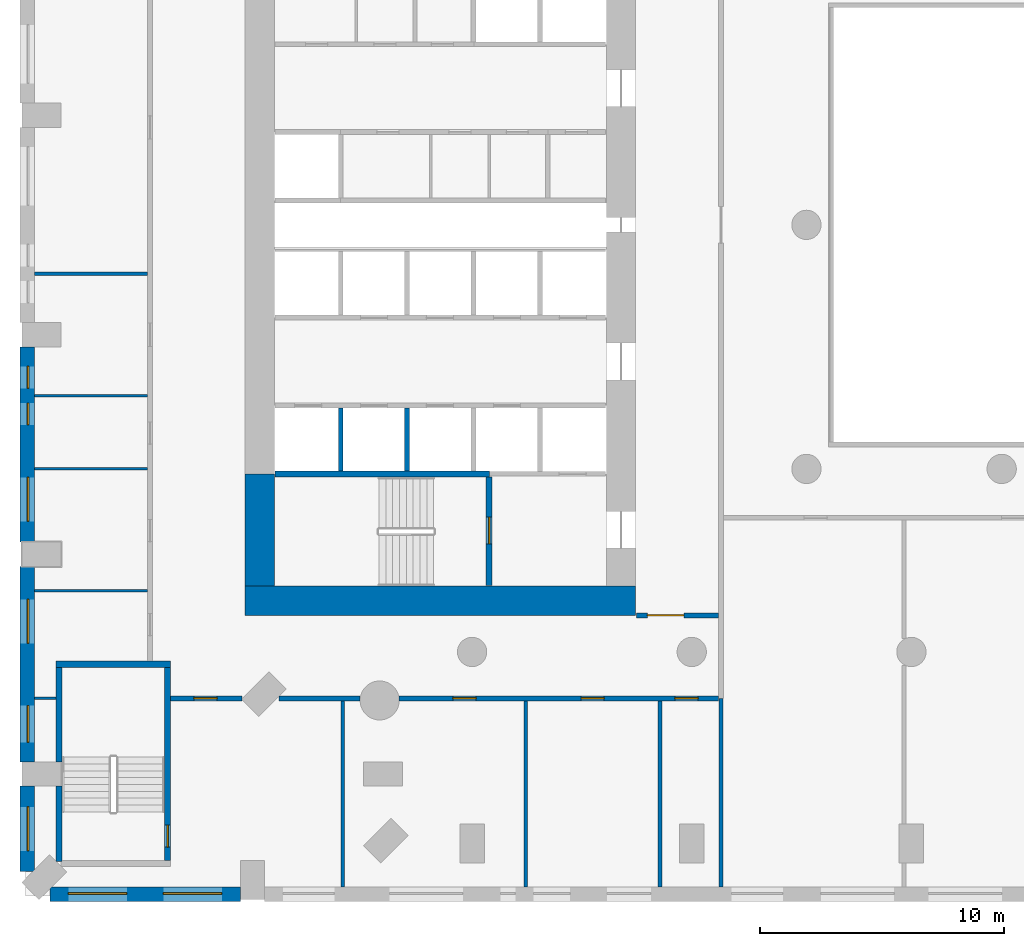
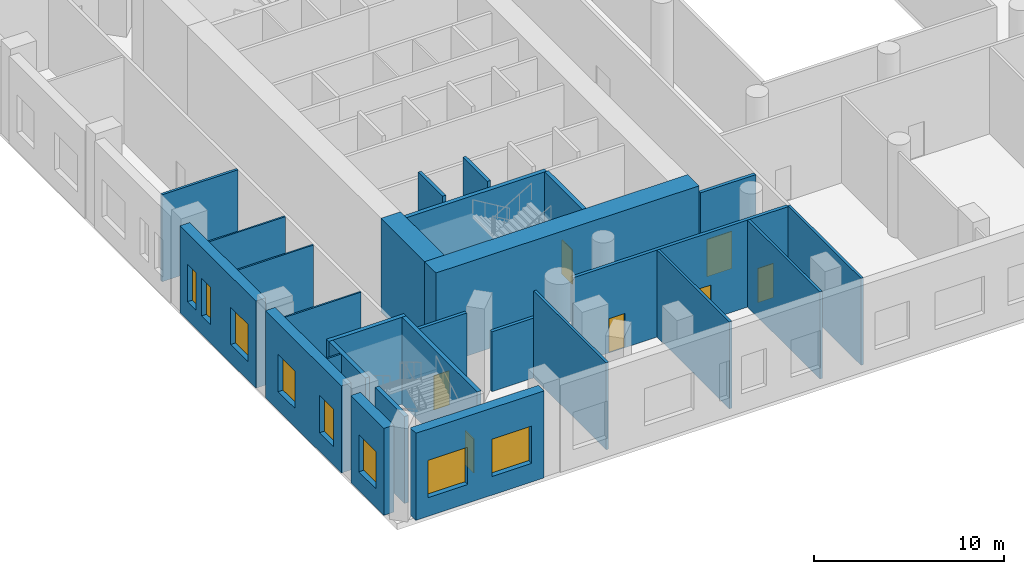
# One storey, part 2 of 19: 27 walls, 8 windows, 7 doors, 15 openings.
"""IFC4 building model written with IfcOpenShell, lengths in metres."""

import ifcopenshell
import ifcopenshell.guid

model = None  # the IFC model being written
_history = None  # IfcOwnerHistory: only IFC2X3 demands one
_inside = {}  # id of a spatial element -> (the spatial element, [elements in it])
_under = {}  # id of a project, library or spatial element -> (it, [spatial elements below it])
_declared = {}  # id of a project -> (the project, [libraries it declares])
_typed = {}  # id of a type object -> (the type object, [elements of that type])
_made_of = {}  # id of a material, layer set ... -> (it, [elements and type objects made of it])


def new_model(schema):
    """Start an empty IFC model of exactly this schema.

    Asked for "IFC4X3", IfcOpenShell would pick the latest addendum, in which some entities
    have other attributes; the version numbers below select the first issue.
    IFC2X3 requires an IfcOwnerHistory on every rooted entity: one is made here for all.
    """
    global model, _history
    if schema == "IFC4X3":
        model = ifcopenshell.file(schema_version=(4, 3, 0, 0))
    else:
        model = ifcopenshell.file(schema=schema)
    _inside.clear()
    _under.clear()
    _declared.clear()
    _typed.clear()
    _made_of.clear()
    _history = None
    if model.schema == "IFC2X3":
        org = make("IfcOrganization", Name="unknown")
        user = make(
            "IfcPersonAndOrganization",
            ThePerson=make("IfcPerson", FamilyName="unknown"),
            TheOrganization=org,
        )
        app = make(
            "IfcApplication",
            ApplicationDeveloper=org,
            Version="unknown",
            ApplicationFullName="unknown",
            ApplicationIdentifier="unknown",
        )
        _history = make(
            "IfcOwnerHistory",
            OwningUser=user,
            OwningApplication=app,
            ChangeAction="ADDED",
            CreationDate=0,
        )
    return model


def make(cls, **values):
    """One entity of the class cls with the attributes given. An attribute that is None is left unset."""
    return model.create_entity(
        cls, **{name: value for name, value in values.items() if value is not None}
    )


def rooted(cls, **values):
    """An entity with a GlobalId (a new one), such as an element, a storey or a relation."""
    return make(cls, GlobalId=ifcopenshell.guid.new(), OwnerHistory=_history, **values)


def si_unit(unit_type, name, prefix=None):
    """IfcSIUnit, for example si_unit("LENGTHUNIT", "METRE", prefix="MILLI")."""
    return make("IfcSIUnit", UnitType=unit_type, Prefix=prefix, Name=name)


def assignment(units):
    """IfcUnitAssignment: the units of a project."""
    return None if units is None else make("IfcUnitAssignment", Units=units)


def point(xyz):
    """IfcCartesianPoint."""
    return None if xyz is None else make("IfcCartesianPoint", Coordinates=xyz)


def direction(xyz):
    """IfcDirection."""
    return None if xyz is None else make("IfcDirection", DirectionRatios=xyz)


def frame(location, z_axis=None, x_axis=None):
    """IfcAxis2Placement3D, a coordinate frame: its origin and axes. An axis left out is left unset."""
    return make(
        "IfcAxis2Placement3D",
        Location=point(location),
        Axis=direction(z_axis),
        RefDirection=direction(x_axis),
    )


def frame_2d(location, x_axis=None):
    """IfcAxis2Placement2D, a coordinate frame in the plane: its origin and x axis."""
    return make(
        "IfcAxis2Placement2D", Location=point(location), RefDirection=direction(x_axis)
    )


def origin():
    """The frame at (0, 0, 0) with its axes left unset."""
    return frame((0.0, 0.0, 0.0))


def place(relative_to, where):
    """IfcLocalPlacement: puts the frame where relative to a parent placement (None: the world)."""
    return make(
        "IfcLocalPlacement", PlacementRelTo=relative_to, RelativePlacement=where
    )


def context(
    kind, dimensions, precision=None, world=None, true_north=None, identifier=None
):
    """IfcGeometricRepresentationContext, for example the 3D "Model" context."""
    return make(
        "IfcGeometricRepresentationContext",
        ContextIdentifier=identifier,
        ContextType=kind,
        CoordinateSpaceDimension=dimensions,
        Precision=precision,
        WorldCoordinateSystem=world,
        TrueNorth=true_north,
    )


def subcontext(parent, identifier, kind, view, scale=None):
    """IfcGeometricRepresentationSubContext, for example "Body" below "Model"."""
    return make(
        "IfcGeometricRepresentationSubContext",
        ContextIdentifier=identifier,
        ContextType=kind,
        ParentContext=parent,
        TargetScale=scale,
        TargetView=view,
    )


def project(units=None, contexts=None):
    """IfcProject with its units and contexts."""
    return rooted(
        "IfcProject",
        Name="project",
        RepresentationContexts=contexts,
        UnitsInContext=assignment(units),
    )


def spatial(cls, under=None, at=None, **own):
    """A site, building, storey or space (cls), placed at a placement, below another one or the project."""
    s = rooted(cls, ObjectPlacement=at, **own)
    if under is not None:
        _under.setdefault(under.id(), (under, []))[1].append(s)
    return s


def profile(cls, at=None, kind="AREA", **sizes):
    """A parametric profile (cls). Its sizes go by their IFC names, for example OverallWidth=200.0."""
    return make(cls, ProfileType=kind, Position=at, **sizes)


def rectangle(**sizes):
    """IfcRectangleProfileDef."""
    return profile("IfcRectangleProfileDef", **sizes)


def extrude(swept, where, along, depth):
    """IfcExtrudedAreaSolid: the profile swept, set in the frame where, extruded along a direction by depth."""
    return make(
        "IfcExtrudedAreaSolid",
        SweptArea=swept,
        Position=where,
        ExtrudedDirection=direction(along),
        Depth=depth,
    )


def shape(context_of_items, identifier, shape_type, items):
    """IfcShapeRepresentation: the items that make up one representation, for example the "Body"."""
    return make(
        "IfcShapeRepresentation",
        ContextOfItems=context_of_items,
        RepresentationIdentifier=identifier,
        RepresentationType=shape_type,
        Items=items,
    )


def material(Name=None, Category=None):
    """IfcMaterial."""
    return make("IfcMaterial", Name=Name, Category=Category)


def layer(
    of_material, thickness, ventilated=None, Name=None, Category=None, Priority=None
):
    """IfcMaterialLayer: one layer of a wall or slab, of a material (None: an air gap)."""
    return make(
        "IfcMaterialLayer",
        Material=of_material,
        LayerThickness=thickness,
        IsVentilated=ventilated,
        Name=Name,
        Category=Category,
        Priority=Priority,
    )


def layer_set(layers, Name=None):
    """IfcMaterialLayerSet."""
    return make("IfcMaterialLayerSet", MaterialLayers=layers, LayerSetName=Name)


def made_of(thing, what):
    """Note that an element or type object is made of a material, layer set ...; save() writes the relation."""
    if what is not None:
        _made_of.setdefault(what.id(), (what, []))[1].append(thing)
    return thing


def type_object(cls, material=None, **own):
    """A type object (cls), such as IfcWallType, which elements share."""
    return made_of(rooted(cls, **own), material)


def element(
    cls,
    number,
    at=None,
    inside=None,
    cuts=None,
    type_object=None,
    material=None,
    context=None,
    identifier="Body",
    shape_type=None,
    held_by="IfcProductDefinitionShape",
    body=None,
    shapes=None,
    **own,
):
    """One element of the class cls, such as IfcWall. Its Tag is "e" and its number.

    at: its placement. inside: the storey or other place that contains it. cuts: it is an
    opening in that element (IfcRelVoidsElement). A single representation is given by context,
    identifier, shape_type and body (its items); several are given by shapes. held_by: the class
    of the entity that holds the representations. save() writes the other relations.
    """
    e = rooted(cls, Tag="e%d" % number, ObjectPlacement=at, **own)
    if body is not None:
        shapes = [shape(context, identifier, shape_type, body)]
    if shapes is not None:
        e.Representation = make(held_by, Representations=shapes)
    if inside is not None:
        _inside.setdefault(inside.id(), (inside, []))[1].append(e)
    if cuts is not None:
        rooted(
            "IfcRelVoidsElement", RelatingBuildingElement=cuts, RelatedOpeningElement=e
        )
    if type_object is not None:
        _typed.setdefault(type_object.id(), (type_object, []))[1].append(e)
    return made_of(e, material)


def fill(opening, filler):
    """IfcRelFillsElement: the door or window that sits in an opening."""
    return rooted(
        "IfcRelFillsElement",
        RelatingOpeningElement=opening,
        RelatedBuildingElement=filler,
    )


def aggregate(whole, parts):
    """IfcRelAggregates: a whole, such as a stair, and the parts it consists of."""
    return rooted("IfcRelAggregates", RelatingObject=whole, RelatedObjects=parts)


def save(model, path):
    """Write the relations noted so far, then the file.

    IfcRelAggregates (storeys below a building ...), IfcRelContainedInSpatialStructure (elements
    in a storey), IfcRelDefinesByType, IfcRelAssociatesMaterial and IfcRelDeclares: one each for
    every whole, place, type object, material and project.
    """
    for whole, parts in _under.values():
        aggregate(whole, parts)
    for where, things in _inside.values():
        rooted(
            "IfcRelContainedInSpatialStructure",
            RelatedElements=things,
            RelatingStructure=where,
        )
    for kind, things in _typed.values():
        rooted("IfcRelDefinesByType", RelatedObjects=things, RelatingType=kind)
    for what, things in _made_of.values():
        rooted("IfcRelAssociatesMaterial", RelatedObjects=things, RelatingMaterial=what)
    for by, libraries in _declared.values():
        rooted("IfcRelDeclares", RelatingContext=by, RelatedDefinitions=libraries)
    model.write(path)


model = new_model("IFC4")

# Units and contexts
model_context = context("Model", 3, precision=1e-05, world=origin(), true_north=direction((0.0, 1.0)))
body_context = subcontext(model_context, "Body", "Model", "MODEL_VIEW")
ifc_project = project(units=[si_unit("LENGTHUNIT", "METRE"), si_unit("AREAUNIT", "SQUARE_METRE"), si_unit("VOLUMEUNIT", "CUBIC_METRE"), si_unit("PLANEANGLEUNIT", "RADIAN"), si_unit("MASSUNIT", "GRAM", prefix="KILO")], contexts=[model_context])

# Site, building, storey
site_placement = place(None, origin())
site = spatial("IfcSite", under=ifc_project, at=site_placement, CompositionType="ELEMENT")
building_placement = place(site_placement, origin())
building = spatial("IfcBuilding", under=site, at=building_placement, Name="Cypress Arch Tower", CompositionType="ELEMENT")
storey_placement = place(building_placement, frame((0.0, 0.0, 44.0)))
storey = spatial("IfcBuildingStorey", under=building, at=storey_placement, Name="L05", CompositionType="ELEMENT", Elevation=44.0)

# Wall, openings, windows
ifc_material_1 = material(Name="Brick (red buff blend) on blockwork backing", Category="masonry")
ifc_layer_1 = layer(ifc_material_1, 0.60009765625)
ifc_layer_set_1 = layer_set([ifc_layer_1], Name="Brick base wall BW600")
wall_type_1 = type_object("IfcWallType", Name="Brick base wall BW600", PredefinedType="ELEMENTEDWALL", material=ifc_layer_set_1)
wall_1_placement = place(storey_placement, frame((-37.992919921875, -27.425048828125, 0.0), z_axis=(0.0, 0.0, 1.0), x_axis=(1.0, 0.0, 0.0)))
wall_1 = element("IfcWall", 1, at=wall_1_placement, inside=storey, type_object=wall_type_1, Name="Brick wall L05 P00.0", PredefinedType="ELEMENTEDWALL", context=body_context, shape_type="SweptSolid", body=[
    extrude(rectangle(XDim=7.79296875, YDim=0.60009765625, at=frame_2d((3.896484375, 0.0))), origin(), (0.0, 0.0, 1.0), 5.595947265625),
])
opening_1_placement = place(wall_1_placement, frame((0.748291015625, 0.0, 1.199951171875)))
opening_1 = element("IfcOpeningElement", 2, at=opening_1_placement, cuts=wall_1, Name="Opening W240P", PredefinedType="OPENING", context=body_context, shape_type="SweptSolid", body=[
    extrude(rectangle(XDim=2.39990234375, YDim=2.39990234375, at=frame_2d((1.199951171875, 1.199951171875))), frame((0.0, 0.31005859375, 0.0), z_axis=(0.0, -1.0, 0.0), x_axis=(1.0, 0.0, 0.0)), (0.0, 0.0, 1.0), 0.6201171875),
])
opening_2_placement = place(wall_1_placement, frame((4.644775390625, 0.0, 1.199951171875)))
opening_2 = element("IfcOpeningElement", 3, at=opening_2_placement, cuts=wall_1, Name="Opening W240P", PredefinedType="OPENING", context=body_context, shape_type="SweptSolid", body=[
    extrude(rectangle(XDim=2.39990234375, YDim=2.39990234375, at=frame_2d((1.199951171875, 1.199951171875))), frame((0.0, 0.31005859375, 0.0), z_axis=(0.0, -1.0, 0.0), x_axis=(1.0, 0.0, 0.0)), (0.0, 0.0, 1.0), 0.6201171875),
])
ifc_material_2 = material(Name="Anodised aluminium, bronze finish, clear low-emissivity double glazing", Category="aluminium")
window_type_1 = type_object("IfcWindowType", Name="Window Podium 2400x2400", PartitioningType="SINGLE_PANEL", PredefinedType="WINDOW", material=ifc_material_2)
window_1_placement = place(opening_1_placement, origin())
window_1 = element("IfcWindow", 4, at=window_1_placement, inside=storey, type_object=window_type_1, Name="Window L05 P00.0.1", OverallHeight=2.39990234375, OverallWidth=2.39990234375, PartitioningType="SINGLE_PANEL", PredefinedType="WINDOW", context=body_context, shape_type="SweptSolid", body=[
    extrude(rectangle(XDim=2.39990234375, YDim=2.39990234375, at=frame_2d((1.199951171875, 1.199951171875))), frame((0.0, 0.06005859375, 0.0), z_axis=(0.0, -1.0, 0.0), x_axis=(1.0, 0.0, 0.0)), (0.0, 0.0, 1.0), 0.06005859375),
])
fill(opening_1, window_1)
window_2_placement = place(opening_2_placement, origin())
window_2 = element("IfcWindow", 5, at=window_2_placement, inside=storey, type_object=window_type_1, Name="Window L05 P00.0.2", OverallHeight=2.39990234375, OverallWidth=2.39990234375, PartitioningType="SINGLE_PANEL", PredefinedType="WINDOW", context=body_context, shape_type="SweptSolid", body=[
    extrude(rectangle(XDim=2.39990234375, YDim=2.39990234375, at=frame_2d((1.199951171875, 1.199951171875))), frame((0.0, 0.06005859375, 0.0), z_axis=(0.0, -1.0, 0.0), x_axis=(1.0, 0.0, 0.0)), (0.0, 0.0, 1.0), 0.06005859375),
])
fill(opening_2, window_2)

wall_2_placement = place(storey_placement, frame((-38.925048828125, -5.0, 0.0), z_axis=(0.0, 0.0, 1.0), x_axis=(0.0, -1.0, 0.0)))
wall_2 = element("IfcWall", 6, at=wall_2_placement, inside=storey, type_object=wall_type_1, Name="Brick wall L05 P04.4", PredefinedType="ELEMENTEDWALL", context=body_context, shape_type="SweptSolid", body=[
    extrude(rectangle(XDim=8.0, YDim=0.60009765625, at=frame_2d((4.0, 0.0))), origin(), (0.0, 0.0, 1.0), 5.595947265625),
])
opening_3_placement = place(wall_2_placement, frame((0.800048828125, 0.0, 1.199951171875)))
opening_3 = element("IfcOpeningElement", 7, at=opening_3_placement, cuts=wall_2, Name="Opening W090P", PredefinedType="OPENING", context=body_context, shape_type="SweptSolid", body=[
    extrude(rectangle(XDim=0.89990234375, YDim=2.39990234375, at=frame_2d((0.449951171875, 1.199951171875))), frame((0.0, 0.31005859375, 0.0), z_axis=(0.0, -1.0, 0.0), x_axis=(1.0, 0.0, 0.0)), (0.0, 0.0, 1.0), 0.6201171875),
])
opening_4_placement = place(wall_2_placement, frame((2.300048828125, 0.0, 1.199951171875)))
opening_4 = element("IfcOpeningElement", 8, at=opening_4_placement, cuts=wall_2, Name="Opening W090P", PredefinedType="OPENING", context=body_context, shape_type="SweptSolid", body=[
    extrude(rectangle(XDim=0.89990234375, YDim=2.39990234375, at=frame_2d((0.449951171875, 1.199951171875))), frame((0.0, 0.31005859375, 0.0), z_axis=(0.0, -1.0, 0.0), x_axis=(1.0, 0.0, 0.0)), (0.0, 0.0, 1.0), 0.6201171875),
])
opening_5_placement = place(wall_2_placement, frame((5.35009765625, 0.0, 1.199951171875)))
opening_5 = element("IfcOpeningElement", 9, at=opening_5_placement, cuts=wall_2, Name="Opening W180P", PredefinedType="OPENING", context=body_context, shape_type="SweptSolid", body=[
    extrude(rectangle(XDim=1.800048828125, YDim=2.39990234375, at=frame_2d((0.89990234375, 1.199951171875))), frame((0.0, 0.31005859375, 0.0), z_axis=(0.0, -1.0, 0.0), x_axis=(1.0, 0.0, 0.0)), (0.0, 0.0, 1.0), 0.6201171875),
])
ifc_material_3 = material(Name="Anodised aluminium, bronze finish, clear low-emissivity double glazing", Category="aluminium")
window_type_2 = type_object("IfcWindowType", Name="Window Podium 1800x2400", PartitioningType="SINGLE_PANEL", PredefinedType="WINDOW", material=ifc_material_3)
window_3_placement = place(opening_5_placement, origin())
window_3 = element("IfcWindow", 10, at=window_3_placement, inside=storey, type_object=window_type_2, Name="Window L05 P04.4.2", OverallHeight=2.39990234375, OverallWidth=1.800048828125, PartitioningType="SINGLE_PANEL", PredefinedType="WINDOW", context=body_context, shape_type="SweptSolid", body=[
    extrude(rectangle(XDim=1.800048828125, YDim=2.39990234375, at=frame_2d((0.89990234375, 1.199951171875))), frame((0.0, 0.06005859375, 0.0), z_axis=(0.0, -1.0, 0.0), x_axis=(1.0, 0.0, 0.0)), (0.0, 0.0, 1.0), 0.06005859375),
])
fill(opening_5, window_3)
ifc_material_4 = material(Name="Anodised aluminium, bronze finish, clear low-emissivity double glazing", Category="aluminium")
window_type_3 = type_object("IfcWindowType", Name="Window Podium 900x2400", PartitioningType="SINGLE_PANEL", PredefinedType="WINDOW", material=ifc_material_4)
window_4_placement = place(opening_3_placement, origin())
window_4 = element("IfcWindow", 11, at=window_4_placement, inside=storey, type_object=window_type_3, Name="Window L05 P04.4.1", OverallHeight=2.39990234375, OverallWidth=0.89990234375, PartitioningType="SINGLE_PANEL", PredefinedType="WINDOW", context=body_context, shape_type="SweptSolid", body=[
    extrude(rectangle(XDim=0.89990234375, YDim=2.39990234375, at=frame_2d((0.449951171875, 1.199951171875))), frame((0.0, 0.06005859375, 0.0), z_axis=(0.0, -1.0, 0.0), x_axis=(1.0, 0.0, 0.0)), (0.0, 0.0, 1.0), 0.06005859375),
])
fill(opening_3, window_4)
window_5_placement = place(opening_4_placement, origin())
window_5 = element("IfcWindow", 12, at=window_5_placement, inside=storey, type_object=window_type_3, Name="Window L05 P04.4.1b", OverallHeight=2.39990234375, OverallWidth=0.89990234375, PartitioningType="SINGLE_PANEL", PredefinedType="WINDOW", context=body_context, shape_type="SweptSolid", body=[
    extrude(rectangle(XDim=0.89990234375, YDim=2.39990234375, at=frame_2d((0.449951171875, 1.199951171875))), frame((0.0, 0.06005859375, 0.0), z_axis=(0.0, -1.0, 0.0), x_axis=(1.0, 0.0, 0.0)), (0.0, 0.0, 1.0), 0.06005859375),
])
fill(opening_4, window_5)

wall_3_placement = place(storey_placement, frame((-38.925048828125, -14.0, 0.0), z_axis=(0.0, 0.0, 1.0), x_axis=(0.0, -1.0, 0.0)))
wall_3 = element("IfcWall", 13, at=wall_3_placement, inside=storey, type_object=wall_type_1, Name="Brick wall L05 P04.5", PredefinedType="ELEMENTEDWALL", context=body_context, shape_type="SweptSolid", body=[
    extrude(rectangle(XDim=8.0, YDim=0.60009765625, at=frame_2d((4.0, 0.0))), origin(), (0.0, 0.0, 1.0), 5.595947265625),
])
opening_6_placement = place(wall_3_placement, frame((1.35009765625, 0.0, 1.199951171875)))
opening_6 = element("IfcOpeningElement", 14, at=opening_6_placement, cuts=wall_3, Name="Opening W180P", PredefinedType="OPENING", context=body_context, shape_type="SweptSolid", body=[
    extrude(rectangle(XDim=1.800048828125, YDim=2.39990234375, at=frame_2d((0.89990234375, 1.199951171875))), frame((0.0, 0.31005859375, 0.0), z_axis=(0.0, -1.0, 0.0), x_axis=(1.0, 0.0, 0.0)), (0.0, 0.0, 1.0), 0.6201171875),
])
opening_7_placement = place(wall_3_placement, frame((5.699951171875, 0.0, 1.199951171875)))
opening_7 = element("IfcOpeningElement", 15, at=opening_7_placement, cuts=wall_3, Name="Opening W150P", PredefinedType="OPENING", context=body_context, shape_type="SweptSolid", body=[
    extrude(rectangle(XDim=1.5, YDim=2.39990234375, at=frame_2d((0.75, 1.199951171875))), frame((0.0, 0.31005859375, 0.0), z_axis=(0.0, -1.0, 0.0), x_axis=(1.0, 0.0, 0.0)), (0.0, 0.0, 1.0), 0.6201171875),
])
ifc_material_5 = material(Name="Anodised aluminium, bronze finish, clear low-emissivity double glazing", Category="aluminium")
window_type_4 = type_object("IfcWindowType", Name="Window Podium 1500x2400", PartitioningType="SINGLE_PANEL", PredefinedType="WINDOW", material=ifc_material_5)
window_6_placement = place(opening_7_placement, origin())
window_6 = element("IfcWindow", 16, at=window_6_placement, inside=storey, type_object=window_type_4, Name="Window L05 P04.5.2", OverallHeight=2.39990234375, OverallWidth=1.5, PartitioningType="SINGLE_PANEL", PredefinedType="WINDOW", context=body_context, shape_type="SweptSolid", body=[
    extrude(rectangle(XDim=1.5, YDim=2.39990234375, at=frame_2d((0.75, 1.199951171875))), frame((0.0, 0.06005859375, 0.0), z_axis=(0.0, -1.0, 0.0), x_axis=(1.0, 0.0, 0.0)), (0.0, 0.0, 1.0), 0.06005859375),
])
fill(opening_7, window_6)
window_7_placement = place(opening_6_placement, origin())
window_7 = element("IfcWindow", 17, at=window_7_placement, inside=storey, type_object=window_type_2, Name="Window L05 P04.5.1", OverallHeight=2.39990234375, OverallWidth=1.800048828125, PartitioningType="SINGLE_PANEL", PredefinedType="WINDOW", context=body_context, shape_type="SweptSolid", body=[
    extrude(rectangle(XDim=1.800048828125, YDim=2.39990234375, at=frame_2d((0.89990234375, 1.199951171875))), frame((0.0, 0.06005859375, 0.0), z_axis=(0.0, -1.0, 0.0), x_axis=(1.0, 0.0, 0.0)), (0.0, 0.0, 1.0), 0.06005859375),
])
fill(opening_6, window_7)

# Wall, opening, window
wall_4_placement = place(storey_placement, frame((-38.925048828125, -23.0, 0.0), z_axis=(0.0, 0.0, 1.0), x_axis=(0.0, -1.0, 0.0)))
wall_4 = element("IfcWall", 18, at=wall_4_placement, inside=storey, type_object=wall_type_1, Name="Brick wall L05 P04.6", PredefinedType="ELEMENTEDWALL", context=body_context, shape_type="SweptSolid", body=[
    extrude(rectangle(XDim=3.492919921875, YDim=0.60009765625, at=frame_2d((1.74658203125, 0.0))), origin(), (0.0, 0.0, 1.0), 5.595947265625),
])
opening_8_placement = place(wall_4_placement, frame((0.846435546875, 0.0, 1.199951171875)))
opening_8 = element("IfcOpeningElement", 19, at=opening_8_placement, cuts=wall_4, Name="Opening W180P", PredefinedType="OPENING", context=body_context, shape_type="SweptSolid", body=[
    extrude(rectangle(XDim=1.800048828125, YDim=2.39990234375, at=frame_2d((0.89990234375, 1.199951171875))), frame((0.0, 0.31005859375, 0.0), z_axis=(0.0, -1.0, 0.0), x_axis=(1.0, 0.0, 0.0)), (0.0, 0.0, 1.0), 0.6201171875),
])
window_8_placement = place(opening_8_placement, origin())
window_8 = element("IfcWindow", 20, at=window_8_placement, inside=storey, type_object=window_type_2, Name="Window L05 P04.6.1", OverallHeight=2.39990234375, OverallWidth=1.800048828125, PartitioningType="SINGLE_PANEL", PredefinedType="WINDOW", context=body_context, shape_type="SweptSolid", body=[
    extrude(rectangle(XDim=1.800048828125, YDim=2.39990234375, at=frame_2d((0.89990234375, 1.199951171875))), frame((0.0, 0.06005859375, 0.0), z_axis=(0.0, -1.0, 0.0), x_axis=(1.0, 0.0, 0.0)), (0.0, 0.0, 1.0), 0.06005859375),
])
fill(opening_8, window_8)

# Walls
ifc_material_6 = material(Name="Concrete C80/95", Category="concrete")
ifc_layer_2 = layer(ifc_material_6, 1.199951171875)
ifc_layer_set_2 = layer_set([ifc_layer_2], Name="Core wall CW1200 C80/95")
wall_type_2 = type_object("IfcWallType", Name="Core wall CW1200 C80/95", PredefinedType="SHEAR", material=ifc_layer_set_2)
wall_5_placement = place(storey_placement, frame((-30.0, -15.39990234375, 0.0), z_axis=(0.0, 0.0, 1.0), x_axis=(1.0, 0.0, 0.0)))
element("IfcWall", 21, at=wall_5_placement, inside=storey, type_object=wall_type_2, Name="Core wall", PredefinedType="SHEAR", context=body_context, shape_type="SweptSolid", body=[
    extrude(rectangle(XDim=16.0, YDim=1.199951171875, at=frame_2d((8.0, 0.0))), origin(), (0.0, 0.0, 1.0), 6.0),
])
wall_6_placement = place(storey_placement, frame((-29.39990234375, -14.800048828125, 0.0), z_axis=(0.0, 0.0, 1.0), x_axis=(0.0, 1.0, 0.0)))
element("IfcWall", 22, at=wall_6_placement, inside=storey, type_object=wall_type_2, Name="Core wall", PredefinedType="SHEAR", context=body_context, shape_type="SweptSolid", body=[
    extrude(rectangle(XDim=4.60009765625, YDim=1.199951171875, at=frame_2d((2.300048828125, 0.0))), origin(), (0.0, 0.0, 1.0), 6.0),
])

# Wall, opening, door
ifc_material_7 = material(Name="Concrete blockwork, plastered, rated", Category="masonry")
ifc_layer_3 = layer(ifc_material_7, 0.199951171875)
ifc_layer_set_3 = layer_set([ifc_layer_3], Name="Corridor wall FW200")
wall_type_3 = type_object("IfcWallType", Name="Corridor wall FW200", PredefinedType="PARTITIONING", material=ifc_layer_set_3)
wall_7_placement = place(storey_placement, frame((-33.050048828125, -19.39990234375, 0.0), z_axis=(0.0, 0.0, 1.0), x_axis=(1.0, 0.0, 0.0)))
wall_7 = element("IfcWall", 23, at=wall_7_placement, inside=storey, type_object=wall_type_3, Name="Corridor wall", PredefinedType="PARTITIONING", context=body_context, shape_type="SweptSolid", body=[
    extrude(rectangle(XDim=2.912841796875, YDim=0.199951171875, at=frame_2d((1.45654296875, 0.0))), origin(), (0.0, 0.0, 1.0), 5.595947265625),
])
opening_9_placement = place(wall_7_placement, frame((0.949951171875, 0.0, 0.0)))
opening_9 = element("IfcOpeningElement", 24, at=opening_9_placement, cuts=wall_7, Name="Opening D02", PredefinedType="OPENING", context=body_context, shape_type="SweptSolid", body=[
    extrude(rectangle(XDim=0.949951171875, YDim=2.199951171875, at=frame_2d((0.47509765625, 1.10009765625))), frame((0.0, 0.10986328125, 0.0), z_axis=(0.0, -1.0, 0.0), x_axis=(1.0, 0.0, 0.0)), (0.0, 0.0, 1.0), 0.219970703125),
])
ifc_material_8 = material(Name="Timber flush door, fire resisting", Category="wood")
door_type_1 = type_object("IfcDoorType", Name="Room door D02 950x2200", OperationType="SINGLE_SWING_LEFT", PredefinedType="DOOR", material=ifc_material_8)
door_1_placement = place(opening_9_placement, origin())
door_1 = element("IfcDoor", 25, at=door_1_placement, inside=storey, type_object=door_type_1, Name="Room door", OperationType="SINGLE_SWING_RIGHT", OverallHeight=2.199951171875, OverallWidth=0.949951171875, PredefinedType="DOOR", context=body_context, shape_type="SweptSolid", body=[
    extrude(rectangle(XDim=0.949951171875, YDim=2.199951171875, at=frame_2d((0.47509765625, 1.10009765625))), frame((0.0, 0.02490234375, 0.0), z_axis=(0.0, -1.0, 0.0), x_axis=(1.0, 0.0, 0.0)), (0.0, 0.0, 1.0), 0.050048828125),
])
fill(opening_9, door_1)

# Wall
wall_8_placement = place(storey_placement, frame((-28.61279296875, -19.39990234375, 0.0), z_axis=(0.0, 0.0, 1.0), x_axis=(1.0, 0.0, 0.0)))
element("IfcWall", 26, at=wall_8_placement, inside=storey, type_object=wall_type_3, Name="Corridor wall", PredefinedType="PARTITIONING", context=body_context, shape_type="SweptSolid", body=[
    extrude(rectangle(XDim=3.323486328125, YDim=0.199951171875, at=frame_2d((1.66162109375, 0.0))), origin(), (0.0, 0.0, 1.0), 3.85009765625),
])

# Wall, openings, doors
wall_9_placement = place(storey_placement, frame((-23.6865234375, -19.39990234375, 0.0), z_axis=(0.0, 0.0, 1.0), x_axis=(1.0, 0.0, 0.0)))
wall_9 = element("IfcWall", 27, at=wall_9_placement, inside=storey, type_object=wall_type_3, Name="Corridor wall", PredefinedType="PARTITIONING", context=body_context, shape_type="SweptSolid", body=[
    extrude(rectangle(XDim=13.08642578125, YDim=0.199951171875, at=frame_2d((6.543212890625, 0.0))), origin(), (0.0, 0.0, 1.0), 5.595947265625),
])
opening_10_placement = place(wall_9_placement, frame((2.199951171875, 0.0, 0.0)))
opening_10 = element("IfcOpeningElement", 28, at=opening_10_placement, cuts=wall_9, Name="Opening D02", PredefinedType="OPENING", context=body_context, shape_type="SweptSolid", body=[
    extrude(rectangle(XDim=0.949951171875, YDim=2.199951171875, at=frame_2d((0.47509765625, 1.10009765625))), frame((0.0, 0.10986328125, 0.0), z_axis=(0.0, -1.0, 0.0), x_axis=(1.0, 0.0, 0.0)), (0.0, 0.0, 1.0), 0.219970703125),
])
opening_11_placement = place(wall_9_placement, frame((7.449951171875, 0.0, 0.0)))
opening_11 = element("IfcOpeningElement", 29, at=opening_11_placement, cuts=wall_9, Name="Opening D02", PredefinedType="OPENING", context=body_context, shape_type="SweptSolid", body=[
    extrude(rectangle(XDim=0.949951171875, YDim=2.199951171875, at=frame_2d((0.47509765625, 1.10009765625))), frame((0.0, 0.10986328125, 0.0), z_axis=(0.0, -1.0, 0.0), x_axis=(1.0, 0.0, 0.0)), (0.0, 0.0, 1.0), 0.219970703125),
])
opening_12_placement = place(wall_9_placement, frame((11.300048828125, 0.0, 0.0)))
opening_12 = element("IfcOpeningElement", 30, at=opening_12_placement, cuts=wall_9, Name="Opening D02", PredefinedType="OPENING", context=body_context, shape_type="SweptSolid", body=[
    extrude(rectangle(XDim=0.949951171875, YDim=2.199951171875, at=frame_2d((0.47509765625, 1.10009765625))), frame((0.0, 0.10986328125, 0.0), z_axis=(0.0, -1.0, 0.0), x_axis=(1.0, 0.0, 0.0)), (0.0, 0.0, 1.0), 0.219970703125),
])
door_2_placement = place(opening_10_placement, origin())
door_2 = element("IfcDoor", 31, at=door_2_placement, inside=storey, type_object=door_type_1, Name="Room door", OperationType="SINGLE_SWING_LEFT", OverallHeight=2.199951171875, OverallWidth=0.949951171875, PredefinedType="DOOR", context=body_context, shape_type="SweptSolid", body=[
    extrude(rectangle(XDim=0.949951171875, YDim=2.199951171875, at=frame_2d((0.47509765625, 1.10009765625))), frame((0.0, 0.02490234375, 0.0), z_axis=(0.0, -1.0, 0.0), x_axis=(1.0, 0.0, 0.0)), (0.0, 0.0, 1.0), 0.050048828125),
])
fill(opening_10, door_2)
door_3_placement = place(opening_11_placement, origin())
door_3 = element("IfcDoor", 32, at=door_3_placement, inside=storey, type_object=door_type_1, Name="Room door", OperationType="SINGLE_SWING_RIGHT", OverallHeight=2.199951171875, OverallWidth=0.949951171875, PredefinedType="DOOR", context=body_context, shape_type="SweptSolid", body=[
    extrude(rectangle(XDim=0.949951171875, YDim=2.199951171875, at=frame_2d((0.47509765625, 1.10009765625))), frame((0.0, 0.02490234375, 0.0), z_axis=(0.0, -1.0, 0.0), x_axis=(1.0, 0.0, 0.0)), (0.0, 0.0, 1.0), 0.050048828125),
])
fill(opening_11, door_3)
door_4_placement = place(opening_12_placement, origin())
door_4 = element("IfcDoor", 33, at=door_4_placement, inside=storey, type_object=door_type_1, Name="Room door", OperationType="SINGLE_SWING_RIGHT", OverallHeight=2.199951171875, OverallWidth=0.949951171875, PredefinedType="DOOR", context=body_context, shape_type="SweptSolid", body=[
    extrude(rectangle(XDim=0.949951171875, YDim=2.199951171875, at=frame_2d((0.47509765625, 1.10009765625))), frame((0.0, 0.02490234375, 0.0), z_axis=(0.0, -1.0, 0.0), x_axis=(1.0, 0.0, 0.0)), (0.0, 0.0, 1.0), 0.050048828125),
])
fill(opening_12, door_4)

# Wall, opening, door
wall_10_placement = place(storey_placement, frame((-13.969970703125, -16.0, 0.0), z_axis=(0.0, 0.0, 1.0), x_axis=(1.0, 0.0, 0.0)))
wall_10 = element("IfcWall", 34, at=wall_10_placement, inside=storey, type_object=wall_type_3, Name="Corridor wall", PredefinedType="PARTITIONING", context=body_context, shape_type="SweptSolid", body=[
    extrude(rectangle(XDim=3.369873046875, YDim=0.199951171875, at=frame_2d((1.68505859375, 0.0))), origin(), (0.0, 0.0, 1.0), 5.595947265625),
])
opening_13_placement = place(wall_10_placement, frame((0.449951171875, 0.0, 0.0)))
opening_13 = element("IfcOpeningElement", 35, at=opening_13_placement, cuts=wall_10, Name="Opening D07", PredefinedType="OPENING", context=body_context, shape_type="SweptSolid", body=[
    extrude(rectangle(XDim=1.5, YDim=2.39990234375, at=frame_2d((0.75, 1.199951171875))), frame((0.0, 0.10986328125, 0.0), z_axis=(0.0, -1.0, 0.0), x_axis=(1.0, 0.0, 0.0)), (0.0, 0.0, 1.0), 0.219970703125),
])
ifc_material_9 = material(Name="Steel framed glazed door, fire resisting", Category="steel")
door_type_2 = type_object("IfcDoorType", Name="Lobby door D07 1500x2400", OperationType="DOUBLE_DOOR_SINGLE_SWING", PredefinedType="DOOR", material=ifc_material_9)
door_5_placement = place(opening_13_placement, origin())
door_5 = element("IfcDoor", 36, at=door_5_placement, inside=storey, type_object=door_type_2, Name="Lobby door", OperationType="DOUBLE_DOOR_SINGLE_SWING", OverallHeight=2.39990234375, OverallWidth=1.5, PredefinedType="DOOR", context=body_context, shape_type="SweptSolid", body=[
    extrude(rectangle(XDim=1.5, YDim=2.39990234375, at=frame_2d((0.75, 1.199951171875))), frame((0.0, 0.02490234375, 0.0), z_axis=(0.0, -1.0, 0.0), x_axis=(1.0, 0.0, 0.0)), (0.0, 0.0, 1.0), 0.050048828125),
])
fill(opening_13, door_5)

# Walls
ifc_material_10 = material(Name="Blockwork, plastered both sides", Category="masonry")
ifc_layer_4 = layer(ifc_material_10, 0.14990234375)
ifc_layer_set_4 = layer_set([ifc_layer_4], Name="Partition PW150")
wall_type_4 = type_object("IfcWallType", Name="Partition PW150", PredefinedType="PARTITIONING", material=ifc_layer_set_4)
wall_11_placement = place(storey_placement, frame((-38.625, -2.0, 0.0), z_axis=(0.0, 0.0, 1.0), x_axis=(1.0, 0.0, 0.0)))
element("IfcWall", 37, at=wall_11_placement, inside=storey, type_object=wall_type_4, Name="Partition", PredefinedType="PARTITIONING", context=body_context, shape_type="SweptSolid", body=[
    extrude(rectangle(XDim=4.625, YDim=0.14990234375, at=frame_2d((2.3125, 0.0))), origin(), (0.0, 0.0, 1.0), 5.595947265625),
])
for number, where, z_axis, x_axis, name in (
    (38, (-26.0, -27.125, 0.0), (0.0, 0.0, 1.0), (0.0, 1.0, 0.0), "Partition"),
    (39, (-18.5, -27.125, 0.0), (0.0, 0.0, 1.0), (0.0, 1.0, 0.0), "Partition"),
    (40, (-13.0, -27.125, 0.0), (0.0, 0.0, 1.0), (0.0, 1.0, 0.0), "Partition"),
):
    element("IfcWall", number, at=place(storey_placement, frame(where, z_axis=z_axis, x_axis=x_axis)), inside=storey, type_object=wall_type_4, Name=name, PredefinedType="PARTITIONING", context=body_context, shape_type="SweptSolid", body=[
        extrude(rectangle(XDim=7.625, YDim=0.14990234375, at=frame_2d((3.8125, 0.0))), origin(), (0.0, 0.0, 1.0), 5.595947265625),
    ])
wall_12_placement = place(storey_placement, frame((-10.5, -27.125, 0.0), z_axis=(0.0, 0.0, 1.0), x_axis=(0.0, 1.0, 0.0)))
element("IfcWall", 41, at=wall_12_placement, inside=storey, type_object=wall_type_4, Name="Partition", PredefinedType="PARTITIONING", context=body_context, shape_type="SweptSolid", body=[
    extrude(rectangle(XDim=7.72509765625, YDim=0.14990234375, at=frame_2d((3.862548828125, 0.0))), origin(), (0.0, 0.0, 1.0), 5.595947265625),
])
ifc_material_11 = material(Name="Concrete C50/60", Category="concrete")
ifc_layer_5 = layer(ifc_material_11, 0.199951171875)
ifc_layer_set_5 = layer_set([ifc_layer_5], Name="Shaft wall SH200")
wall_type_5 = type_object("IfcWallType", Name="Shaft wall SH200", PredefinedType="SHEAR", material=ifc_layer_set_5)
for number, where, z_axis, x_axis, name in (
    (42, (-26.080078125, -10.074951171875, 0.0), (0.0, 0.0, 1.0), (0.0, 1.0, 0.0), "Shaft wall"),
    (43, (-23.360107421875, -10.074951171875, 0.0), (0.0, 0.0, 1.0), (0.0, 1.0, 0.0), "Shaft wall"),
):
    element("IfcWall", number, at=place(storey_placement, frame(where, z_axis=z_axis, x_axis=x_axis)), inside=storey, type_object=wall_type_5, Name=name, PredefinedType="SHEAR", context=body_context, shape_type="SweptSolid", body=[
        extrude(rectangle(XDim=2.574951171875, YDim=0.199951171875, at=frame_2d((1.28759765625, 0.0))), origin(), (0.0, 0.0, 1.0), 6.0),
    ])
ifc_material_12 = material(Name="Concrete C50/60", Category="concrete")
ifc_layer_6 = layer(ifc_material_12, 0.25)
ifc_layer_set_6 = layer_set([ifc_layer_6], Name="Stair enclosure wall SW250")
wall_type_6 = type_object("IfcWallType", Name="Stair enclosure wall SW250", PredefinedType="SHEAR", material=ifc_layer_set_6)
wall_13_placement = place(storey_placement, frame((-37.625, -26.09521484375, 0.0), z_axis=(0.0, 0.0, 1.0), x_axis=(0.0, 1.0, 0.0)))
element("IfcWall", 44, at=wall_13_placement, inside=storey, type_object=wall_type_6, Name="Stair enclosure wall", PredefinedType="SHEAR", context=body_context, shape_type="SweptSolid", body=[
    extrude(rectangle(XDim=3.09521484375, YDim=0.25, at=frame_2d((1.547607421875, 0.0))), origin(), (0.0, 0.0, 1.0), 5.595947265625),
])
wall_14_placement = place(storey_placement, frame((-37.625, -22.0, 0.0), z_axis=(0.0, 0.0, 1.0), x_axis=(0.0, 1.0, 0.0)))
element("IfcWall", 45, at=wall_14_placement, inside=storey, type_object=wall_type_6, Name="Stair enclosure wall", PredefinedType="SHEAR", context=body_context, shape_type="SweptSolid", body=[
    extrude(rectangle(XDim=3.8701171875, YDim=0.25, at=frame_2d((1.93505859375, 0.0))), origin(), (0.0, 0.0, 1.0), 5.595947265625),
])
wall_15_placement = place(storey_placement, frame((-37.75, -18.0048828125, 0.0), z_axis=(0.0, 0.0, 1.0), x_axis=(1.0, 0.0, 0.0)))
element("IfcWall", 46, at=wall_15_placement, inside=storey, type_object=wall_type_6, Name="Stair enclosure wall", PredefinedType="SHEAR", context=body_context, shape_type="SweptSolid", body=[
    extrude(rectangle(XDim=4.699951171875, YDim=0.25, at=frame_2d((2.35009765625, 0.0))), origin(), (0.0, 0.0, 1.0), 5.595947265625),
])

# Wall, opening, door
wall_16_placement = place(storey_placement, frame((-33.175048828125, -26.050048828125, 0.0), z_axis=(0.0, 0.0, 1.0), x_axis=(0.0, 1.0, 0.0)))
wall_16 = element("IfcWall", 47, at=wall_16_placement, inside=storey, type_object=wall_type_6, Name="Stair enclosure wall", PredefinedType="SHEAR", context=body_context, shape_type="SweptSolid", body=[
    extrude(rectangle(XDim=7.920166015625, YDim=0.25, at=frame_2d((3.9599609375, 0.0))), origin(), (0.0, 0.0, 1.0), 5.595947265625),
])
opening_14_placement = place(wall_16_placement, frame((0.550048828125, 0.0, 0.0)))
opening_14 = element("IfcOpeningElement", 48, at=opening_14_placement, cuts=wall_16, Name="Opening D15", PredefinedType="OPENING", context=body_context, shape_type="SweptSolid", body=[
    extrude(rectangle(XDim=0.89990234375, YDim=2.199951171875, at=frame_2d((0.449951171875, 1.10009765625))), frame((0.0, 0.135009765625, 0.0), z_axis=(0.0, -1.0, 0.0), x_axis=(1.0, 0.0, 0.0)), (0.0, 0.0, 1.0), 0.27001953125),
])
ifc_material_13 = material(Name="Steel door, fire resisting, panic bar", Category="steel")
door_type_3 = type_object("IfcDoorType", Name="Stair door D15 900x2200", OperationType="SINGLE_SWING_LEFT", PredefinedType="DOOR", material=ifc_material_13)
door_6_placement = place(opening_14_placement, origin())
door_6 = element("IfcDoor", 49, at=door_6_placement, inside=storey, type_object=door_type_3, Name="Stair door", OperationType="SINGLE_SWING_LEFT", OverallHeight=2.199951171875, OverallWidth=0.89990234375, PredefinedType="DOOR", context=body_context, shape_type="SweptSolid", body=[
    extrude(rectangle(XDim=0.89990234375, YDim=2.199951171875, at=frame_2d((0.449951171875, 1.10009765625))), frame((0.0, 0.02490234375, 0.0), z_axis=(0.0, -1.0, 0.0), x_axis=(1.0, 0.0, 0.0)), (0.0, 0.0, 1.0), 0.050048828125),
])
fill(opening_14, door_6)

# Wall
wall_17_placement = place(storey_placement, frame((-28.77001953125, -10.199951171875, 0.0), z_axis=(0.0, 0.0, 1.0), x_axis=(1.0, 0.0, 0.0)))
element("IfcWall", 50, at=wall_17_placement, inside=storey, type_object=wall_type_6, Name="Stair enclosure wall", PredefinedType="SHEAR", context=body_context, shape_type="SweptSolid", body=[
    extrude(rectangle(XDim=8.7900390625, YDim=0.25, at=frame_2d((4.39501953125, 0.0))), origin(), (0.0, 0.0, 1.0), 5.595947265625),
])

# Wall, opening, door
wall_18_placement = place(storey_placement, frame((-20.0, -14.77001953125, 0.0), z_axis=(0.0, 0.0, 1.0), x_axis=(0.0, 1.0, 0.0)))
wall_18 = element("IfcWall", 51, at=wall_18_placement, inside=storey, type_object=wall_type_6, Name="Stair enclosure wall", PredefinedType="SHEAR", context=body_context, shape_type="SweptSolid", body=[
    extrude(rectangle(XDim=4.445068359375, YDim=0.25, at=frame_2d((2.22265625, 0.0))), origin(), (0.0, 0.0, 1.0), 5.595947265625),
])
opening_15_placement = place(wall_18_placement, frame((1.699951171875, 0.0, 0.0)))
opening_15 = element("IfcOpeningElement", 52, at=opening_15_placement, cuts=wall_18, Name="Opening D06", PredefinedType="OPENING", context=body_context, shape_type="SweptSolid", body=[
    extrude(rectangle(XDim=1.10009765625, YDim=2.199951171875, at=frame_2d((0.550048828125, 1.10009765625))), frame((0.0, 0.135009765625, 0.0), z_axis=(0.0, -1.0, 0.0), x_axis=(1.0, 0.0, 0.0)), (0.0, 0.0, 1.0), 0.27001953125),
])
ifc_material_14 = material(Name="Steel door, fire resisting, panic bar", Category="steel")
door_type_4 = type_object("IfcDoorType", Name="Stair door D06 1100x2200", OperationType="SINGLE_SWING_LEFT", PredefinedType="DOOR", material=ifc_material_14)
door_7_placement = place(opening_15_placement, origin())
door_7 = element("IfcDoor", 53, at=door_7_placement, inside=storey, type_object=door_type_4, Name="Stair door", OperationType="SINGLE_SWING_RIGHT", OverallHeight=2.199951171875, OverallWidth=1.10009765625, PredefinedType="DOOR", context=body_context, shape_type="SweptSolid", body=[
    extrude(rectangle(XDim=1.10009765625, YDim=2.199951171875, at=frame_2d((0.550048828125, 1.10009765625))), frame((0.0, 0.02490234375, 0.0), z_axis=(0.0, -1.0, 0.0), x_axis=(1.0, 0.0, 0.0)), (0.0, 0.0, 1.0), 0.050048828125),
])
fill(opening_15, door_7)

# Walls
ifc_material_15 = material(Name="Moisture resistant board on steel studs, tiled", Category="steel")
ifc_layer_7 = layer(ifc_material_15, 0.10009765625)
ifc_layer_set_7 = layer_set([ifc_layer_7], Name="Wet wall PW100")
wall_type_7 = type_object("IfcWallType", Name="Wet wall PW100", PredefinedType="PARTITIONING", material=ifc_layer_set_7)
wall_19_placement = place(storey_placement, frame((-38.625, -19.39990234375, 0.0), z_axis=(0.0, 0.0, 1.0), x_axis=(1.0, 0.0, 0.0)))
element("IfcWall", 54, at=wall_19_placement, inside=storey, type_object=wall_type_7, Name="Wet wall", PredefinedType="PARTITIONING", context=body_context, shape_type="SweptSolid", body=[
    extrude(rectangle(XDim=0.875, YDim=0.10009765625, at=frame_2d((0.4375, 0.0))), origin(), (0.0, 0.0, 1.0), 5.595947265625),
])
for number, where, z_axis, x_axis, name in (
    (55, (-38.625, -15.0, 0.0), (0.0, 0.0, 1.0), (1.0, 0.0, 0.0), "Wet wall"),
    (56, (-38.625, -10.0, 0.0), (0.0, 0.0, 1.0), (1.0, 0.0, 0.0), "Wet wall"),
    (57, (-38.625, -7.0, 0.0), (0.0, 0.0, 1.0), (1.0, 0.0, 0.0), "Wet wall"),
):
    element("IfcWall", number, at=place(storey_placement, frame(where, z_axis=z_axis, x_axis=x_axis)), inside=storey, type_object=wall_type_7, Name=name, PredefinedType="PARTITIONING", context=body_context, shape_type="SweptSolid", body=[
        extrude(rectangle(XDim=4.625, YDim=0.10009765625, at=frame_2d((2.3125, 0.0))), origin(), (0.0, 0.0, 1.0), 5.595947265625),
    ])

save(model, "model.ifc")
